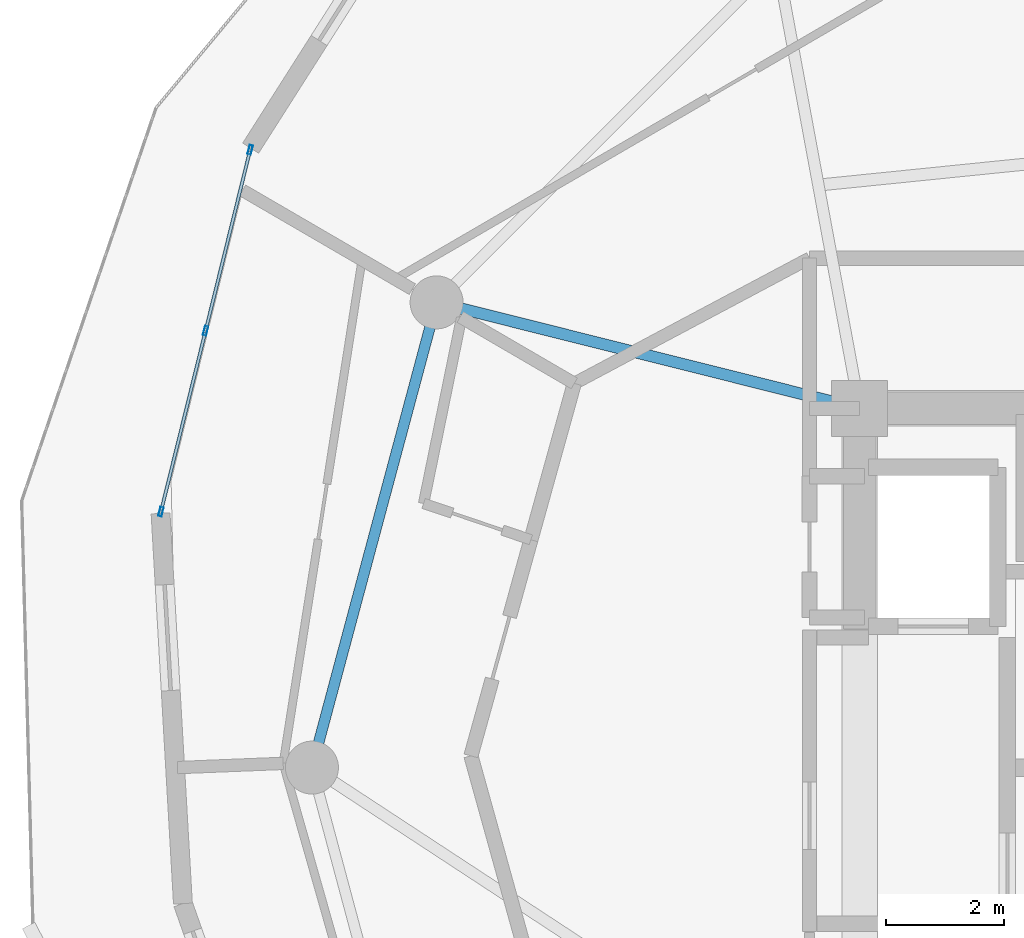
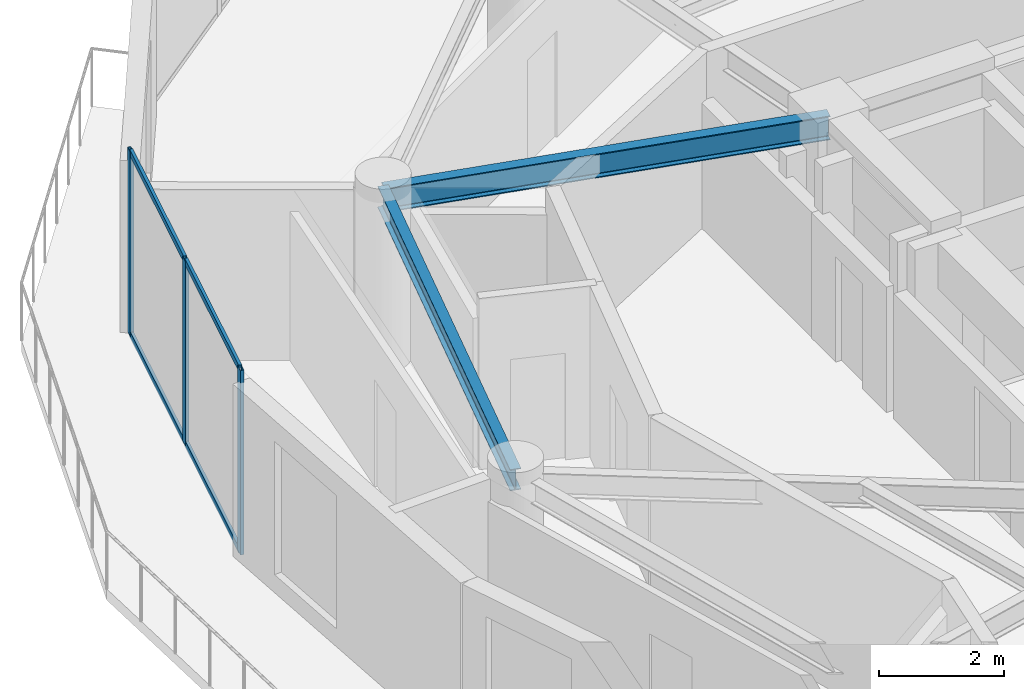
# One storey, part 6 of 18: 7 members, 2 beams, 1 element without a shape of its own.
"""IFC4 building model written with IfcOpenShell, lengths in metres."""

from ifc_helpers import new_model, si_unit, direction, frame, origin, origin_2d, place, context, subcontext, project, spatial, hollow_rectangle, i_section, extrude, source, transform, mapped, material, layer, layer_set, material_profile, profile_set, type_object, element, aggregate, save


model = new_model("IFC4")

# Units and contexts
model_context = context("Model", 3, precision=1e-05, world=origin(), true_north=direction((0.0, 1.0)))
body_context = subcontext(model_context, "Body", "Model", "MODEL_VIEW")
ifc_project = project(units=[si_unit("LENGTHUNIT", "METRE"), si_unit("AREAUNIT", "SQUARE_METRE"), si_unit("VOLUMEUNIT", "CUBIC_METRE"), si_unit("PLANEANGLEUNIT", "RADIAN"), si_unit("MASSUNIT", "GRAM", prefix="KILO")], contexts=[model_context])

# Site, building, storey
site_placement = place(None, origin())
site = spatial("IfcSite", under=ifc_project, at=site_placement, CompositionType="ELEMENT")
building_placement = place(site_placement, origin())
building = spatial("IfcBuilding", under=site, at=building_placement, Name="Solvirekh Grand Hotel", CompositionType="ELEMENT")
storey_placement = place(building_placement, frame((0.0, 0.0, 198.39990234375)))
storey = spatial("IfcBuildingStorey", under=building, at=storey_placement, Name="L51", CompositionType="ELEMENT", Elevation=198.39990234375)

# Beams
ifc_material_1 = material(Name="Steel S355", Category="steel")
ifc_material_profile_1 = material_profile(ifc_material_1, i_section(OverallWidth=0.194091796875, OverallDepth=0.468994140625, WebThickness=0.010986328125, FlangeThickness=0.01904296875, FilletRadius=0.012939453125, at=origin_2d()), Name="W460X106")
ifc_profile_set_1 = profile_set([ifc_material_profile_1], Name="Steel S355")
beam_type_1 = type_object("IfcBeamType", Name="Beam_Radial_W460H", PredefinedType="BEAM", material=ifc_profile_set_1)
beam_1_placement = place(storey_placement, frame((-6.5, 6.10009765625, 3.125), z_axis=(-0.970014367692, 0.243047580675, 0.0), x_axis=(-0.243047580675, -0.970014367692, 0.0)))
element("IfcBeam", 1, at=beam_1_placement, inside=storey, type_object=beam_type_1, Name="L51 radial floor beam R06", PredefinedType="BEAM", context=body_context, shape_type="SweptSolid", body=[
    extrude(i_section(OverallWidth=0.194091796875, OverallDepth=0.468994140625, WebThickness=0.010986328125, FlangeThickness=0.01904296875, FilletRadius=0.012939453125, at=origin_2d()), origin(), (0.0, 0.0, 1.0), 7.4052734375),
])
ifc_material_profile_2 = material_profile(ifc_material_1, i_section(OverallWidth=0.180908203125, OverallDepth=0.4169921875, WebThickness=0.010009765625, FlangeThickness=0.01611328125, FilletRadius=0.011962890625, at=origin_2d()), Name="W410X85")
ifc_profile_set_2 = profile_set([ifc_material_profile_2], Name="Steel S355")
beam_type_2 = type_object("IfcBeamType", Name="Spandrel_Ring_W410", PredefinedType="SPANDREL", material=ifc_profile_set_2)
beam_2_placement = place(storey_placement, frame((-13.68310546875, 7.89990234375, 3.152099609375), z_axis=(-0.258838541915, -0.965920601923, 0.0), x_axis=(0.965920601923, -0.258838541915, 0.0)))
element("IfcBeam", 2, at=beam_2_placement, inside=storey, type_object=beam_type_2, Name="L51 perimeter spandrel beam 6", PredefinedType="SPANDREL", context=body_context, shape_type="SweptSolid", body=[
    extrude(i_section(OverallWidth=0.180908203125, OverallDepth=0.4169921875, WebThickness=0.010009765625, FlangeThickness=0.01611328125, FilletRadius=0.011962890625, at=origin_2d()), origin(), (0.0, 0.0, 1.0), 8.1787109375),
])

# Curtain wall, members
ifc_material_2 = material(Name="Anodized Bronze Aluminium 6063-T6", Category="aluminium")
ifc_layer = layer(ifc_material_2, 0.159912109375)
ifc_layer_set = layer_set([ifc_layer], Name="Anodized Bronze Aluminium 6063-T6")
curtain_wall_type = type_object("IfcCurtainWallType", Name="CW_Sys4_HighZoneFlushBronzeCW", PredefinedType="NOTDEFINED", material=ifc_layer_set)
curtain_wall_placement = place(storey_placement, origin())
curtain_wall = element("IfcCurtainWall", 3, at=curtain_wall_placement, inside=storey, type_object=curtain_wall_type, Name="L51 unitised bronze-glass curtain wall CW-L51-C13", PredefinedType="NOTDEFINED")
ifc_material_profile_3 = material_profile(ifc_material_2, hollow_rectangle(XDim=0.06005859375, YDim=0.159912109375, WallThickness=0.0048828125, at=origin_2d()), Name="ALU RHS 160X60X5")
ifc_profile_set_3 = profile_set([ifc_material_profile_3], Name="Anodized Bronze Aluminium 6063-T6")
member_type_1 = type_object("IfcMemberType", Name="CWMullion_Sys4", PredefinedType="MULLION", material=ifc_profile_set_3)
shared_shape_1 = source(origin(), body_context, "Body", "SweptSolid", [
    extrude(hollow_rectangle(XDim=0.06005859375, YDim=0.159912109375, WallThickness=0.0048828125, at=origin_2d()), origin(), (0.0, 0.0, 1.0), 3.60009765625),
])
member_1_placement = place(storey_placement, frame((-16.84814453125, 10.490966796875, 0.0), z_axis=(0.0, 0.0, 1.0), x_axis=(0.970901876855, -0.239477651398, 0.0)))
member_1 = element("IfcMember", 4, at=member_1_placement, type_object=member_type_1, Name="U04 mullion 1", PredefinedType="MULLION", context=body_context, shape_type="MappedRepresentation", body=[
    mapped(shared_shape_1, transform((0.0, 0.0, 0.0), x_axis=(1.0, 0.0, 0.0), y_axis=(0.0, 1.0, 0.0), z_axis=(0.0, 0.0, 1.0), scale=1.0)),
])
member_2_placement = place(storey_placement, frame((-17.60595703125, 7.41845703125, 0.0), z_axis=(0.0, 0.0, 1.0), x_axis=(0.970901876855, -0.239477651398, 0.0)))
member_2 = element("IfcMember", 5, at=member_2_placement, type_object=member_type_1, Name="U04 mullion 2", PredefinedType="MULLION", context=body_context, shape_type="MappedRepresentation", body=[
    mapped(shared_shape_1, transform((0.0, 0.0, 0.0), x_axis=(1.0, 0.0, 0.0), y_axis=(0.0, 1.0, 0.0), z_axis=(0.0, 0.0, 1.0), scale=1.0)),
])
member_3_placement = place(storey_placement, frame((-18.36376953125, 4.34619140625, 0.0), z_axis=(0.0, 0.0, 1.0), x_axis=(0.970901876855, -0.239477651398, 0.0)))
member_3 = element("IfcMember", 6, at=member_3_placement, type_object=member_type_1, Name="U04 mullion 3", PredefinedType="MULLION", context=body_context, shape_type="MappedRepresentation", body=[
    mapped(shared_shape_1, transform((0.0, 0.0, 0.0), x_axis=(1.0, 0.0, 0.0), y_axis=(0.0, 1.0, 0.0), z_axis=(0.0, 0.0, 1.0), scale=1.0)),
])
ifc_material_profile_4 = material_profile(ifc_material_2, hollow_rectangle(XDim=0.054931640625, YDim=0.1201171875, WallThickness=0.00390625, at=origin_2d()), Name="ALU RHS 120X55X4")
ifc_profile_set_4 = profile_set([ifc_material_profile_4], Name="Anodized Bronze Aluminium 6063-T6")
member_type_2 = type_object("IfcMemberType", Name="CWTransom_Sys4", PredefinedType="USERDEFINED", material=ifc_profile_set_4)
shared_shape_2 = source(origin(), body_context, "Body", "SweptSolid", [
    extrude(hollow_rectangle(XDim=0.054931640625, YDim=0.1201171875, WallThickness=0.00390625, at=origin_2d()), origin(), (0.0, 0.0, 1.0), 3.1044921875),
])
member_4_placement = place(storey_placement, frame((-16.85546875, 10.461669921875, 0.027587890625), z_axis=(-0.239462772529, -0.970905546679, 0.0), x_axis=(0.970905546679, -0.239462772529, 0.0)))
member_4 = element("IfcMember", 7, at=member_4_placement, type_object=member_type_2, Name="U04 transom 1.1", ObjectType="TRANSOM", PredefinedType="USERDEFINED", context=body_context, shape_type="MappedRepresentation", body=[
    mapped(shared_shape_2, transform((0.0, 0.0, 0.0), x_axis=(1.0, 0.0, 0.0), y_axis=(0.0, 1.0, 0.0), z_axis=(0.0, 0.0, 1.0), scale=1.0)),
])
member_5_placement = place(storey_placement, frame((-16.85546875, 10.461669921875, 3.572509765625), z_axis=(-0.239462772529, -0.970905546679, 0.0), x_axis=(0.970905546679, -0.239462772529, 0.0)))
member_5 = element("IfcMember", 8, at=member_5_placement, type_object=member_type_2, Name="U04 transom 1.2", ObjectType="TRANSOM", PredefinedType="USERDEFINED", context=body_context, shape_type="MappedRepresentation", body=[
    mapped(shared_shape_2, transform((0.0, 0.0, 0.0), x_axis=(1.0, 0.0, 0.0), y_axis=(0.0, 1.0, 0.0), z_axis=(0.0, 0.0, 1.0), scale=1.0)),
])
member_6_placement = place(storey_placement, frame((-17.61328125, 7.389404296875, 0.027587890625), z_axis=(-0.239462772529, -0.970905546679, 0.0), x_axis=(0.970905546679, -0.239462772529, 0.0)))
member_6 = element("IfcMember", 9, at=member_6_placement, type_object=member_type_2, Name="U04 transom 2.1", ObjectType="TRANSOM", PredefinedType="USERDEFINED", context=body_context, shape_type="MappedRepresentation", body=[
    mapped(shared_shape_2, transform((0.0, 0.0, 0.0), x_axis=(1.0, 0.0, 0.0), y_axis=(0.0, 1.0, 0.0), z_axis=(0.0, 0.0, 1.0), scale=1.0)),
])
member_7_placement = place(storey_placement, frame((-17.61328125, 7.389404296875, 3.572509765625), z_axis=(-0.239462772529, -0.970905546679, 0.0), x_axis=(0.970905546679, -0.239462772529, 0.0)))
member_7 = element("IfcMember", 10, at=member_7_placement, type_object=member_type_2, Name="U04 transom 2.2", ObjectType="TRANSOM", PredefinedType="USERDEFINED", context=body_context, shape_type="MappedRepresentation", body=[
    mapped(shared_shape_2, transform((0.0, 0.0, 0.0), x_axis=(1.0, 0.0, 0.0), y_axis=(0.0, 1.0, 0.0), z_axis=(0.0, 0.0, 1.0), scale=1.0)),
])
aggregate(curtain_wall, [member_1, member_2, member_3, member_4, member_5, member_6, member_7])

save(model, "model.ifc")
